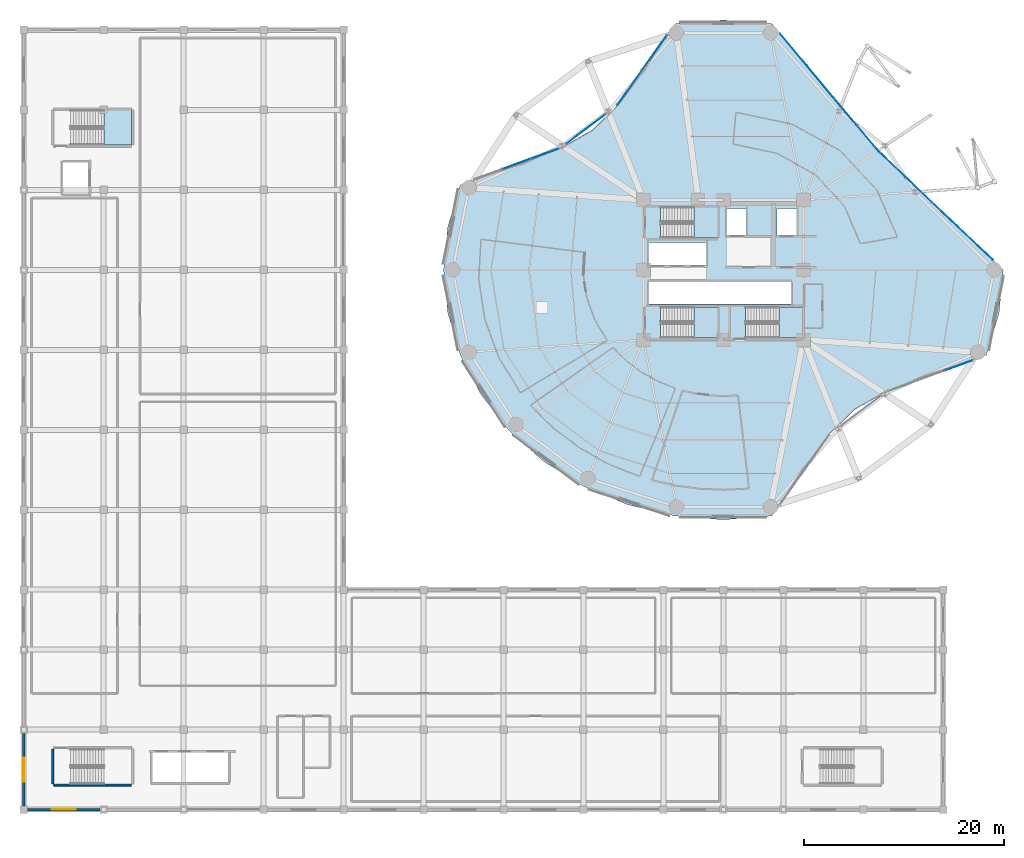
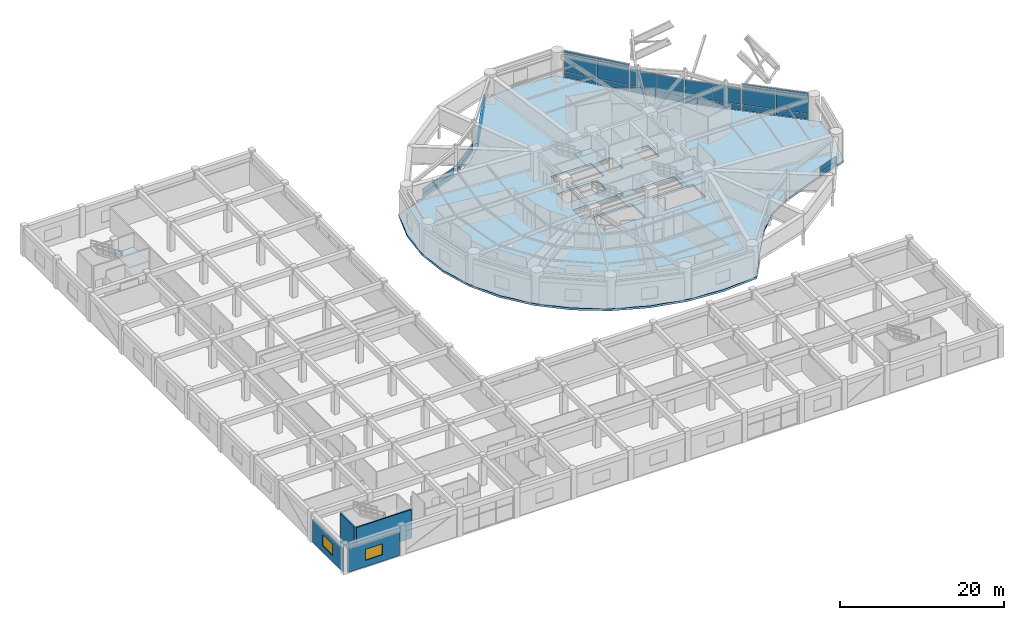
# One storey, part 39 of 53: 32 plates, 5 slabs, 4 walls, 2 windows, 2 openings, 12 elements without a shape of their own.
"""IFC4 building model written with IfcOpenShell, lengths in metres."""

from ifc_helpers import new_model, si_unit, direction, frame, frame_2d, origin, origin_2d, place, context, subcontext, project, spatial, polyline, rectangle, outline, extrude, source, transform, mapped, material, layer, layer_set, type_object, element, fill, aggregate, save


model = new_model("IFC4")

# Units and contexts
model_context = context("Model", 3, precision=1e-05, world=origin(), true_north=direction((0.0, 1.0)))
body_context = subcontext(model_context, "Body", "Model", "MODEL_VIEW")
ifc_project = project(units=[si_unit("LENGTHUNIT", "METRE"), si_unit("AREAUNIT", "SQUARE_METRE"), si_unit("VOLUMEUNIT", "CUBIC_METRE"), si_unit("PLANEANGLEUNIT", "RADIAN"), si_unit("MASSUNIT", "GRAM", prefix="KILO")], contexts=[model_context])

# Site, building, storey
site_placement = place(None, origin())
site = spatial("IfcSite", under=ifc_project, at=site_placement, CompositionType="ELEMENT")
building_placement = place(site_placement, origin())
building = spatial("IfcBuilding", under=site, at=building_placement, Name="Kelanora Arch Commons", CompositionType="ELEMENT")
storey_placement = place(building_placement, frame((0.0, 0.0, 9.0)))
storey = spatial("IfcBuildingStorey", under=building, at=storey_placement, Name="L02", CompositionType="ELEMENT", Elevation=9.0)

# Stair, slab
ifc_material_1 = material(Name="Concrete C40/50", Category="concrete")
stair_type = type_object("IfcStairType", Name="STR-DL-450", PredefinedType="HALF_TURN_STAIR", material=ifc_material_1)
stair_1_placement = place(storey_placement, origin())
stair_1 = element("IfcStair", 1, at=stair_1_placement, inside=storey, type_object=stair_type, Name="L02 ST-T1", PredefinedType="HALF_TURN_STAIR")
ifc_layer_1 = layer(ifc_material_1, 0.199951171875)
ifc_layer_set_1 = layer_set([ifc_layer_1], Name="Concrete C40/50")
slab_type_1 = type_object("IfcSlabType", Name="SLB-STAIR-LND", PredefinedType="LANDING", material=ifc_layer_set_1)
slab_1_placement = place(storey_placement, frame((0.0, 0.0, 2.050048828125)))
slab_1 = element("IfcSlab", 2, at=slab_1_placement, type_object=slab_type_1, Name="ST-T1 landing 1", PredefinedType="LANDING", context=body_context, shape_type="SweptSolid", body=[
    extrude(outline(polyline([(71.080078125, 61.179931640625), (73.43994140625, 61.179931640625), (73.43994140625, 64.2900390625), (71.080078125, 64.2900390625), (71.080078125, 61.179931640625)])), origin(), (0.0, 0.0, 1.0), 0.199951171875),
])
aggregate(stair_1, [slab_1])

stair_2_placement = place(storey_placement, origin())
stair_2 = element("IfcStair", 3, at=stair_2_placement, inside=storey, type_object=stair_type, Name="L02 ST-T2", PredefinedType="HALF_TURN_STAIR")
slab_2_placement = place(storey_placement, frame((0.0, 0.0, 2.050048828125)))
slab_2 = element("IfcSlab", 4, at=slab_2_placement, type_object=slab_type_1, Name="ST-T2 landing 1", PredefinedType="LANDING", context=body_context, shape_type="SweptSolid", body=[
    extrude(outline(polyline([(79.56005859375, 51.179931640625), (81.919921875, 51.179931640625), (81.919921875, 54.2900390625), (79.56005859375, 54.2900390625), (79.56005859375, 51.179931640625)])), origin(), (0.0, 0.0, 1.0), 0.199951171875),
])
aggregate(stair_2, [slab_2])

stair_3_placement = place(storey_placement, origin())
stair_3 = element("IfcStair", 5, at=stair_3_placement, inside=storey, type_object=stair_type, Name="L02 ST-T3", PredefinedType="HALF_TURN_STAIR")
slab_3_placement = place(storey_placement, frame((0.0, 0.0, 2.050048828125)))
slab_3 = element("IfcSlab", 6, at=slab_3_placement, type_object=slab_type_1, Name="ST-T3 landing 1", PredefinedType="LANDING", context=body_context, shape_type="SweptSolid", body=[
    extrude(outline(polyline([(71.080078125, 51.179931640625), (73.43994140625, 51.179931640625), (73.43994140625, 54.2900390625), (71.080078125, 54.2900390625), (71.080078125, 51.179931640625)])), origin(), (0.0, 0.0, 1.0), 0.199951171875),
])
aggregate(stair_3, [slab_3])

stair_4_placement = place(storey_placement, origin())
stair_4 = element("IfcStair", 7, at=stair_4_placement, inside=storey, type_object=stair_type, Name="L02 ST-M3", PredefinedType="HALF_TURN_STAIR")
slab_4_placement = place(storey_placement, frame((0.0, 0.0, 2.050048828125)))
slab_4 = element("IfcSlab", 8, at=slab_4_placement, type_object=slab_type_1, Name="ST-M3 landing 1", PredefinedType="LANDING", context=body_context, shape_type="SweptSolid", body=[
    extrude(outline(polyline([(12.0400390625, 70.47998046875), (14.800048828125, 70.47998046875), (14.800048828125, 73.989990234375), (12.0400390625, 73.989990234375), (12.0400390625, 70.47998046875)])), origin(), (0.0, 0.0, 1.0), 0.199951171875),
])
aggregate(stair_4, [slab_4])

# Slab
ifc_layer_2 = layer(ifc_material_1, 0.300048828125)
ifc_layer_set_2 = layer_set([ifc_layer_2], Name="Concrete C40/50")
slab_type_2 = type_object("IfcSlabType", Name="SLB-TWR-POD", PredefinedType="FLOOR", material=ifc_layer_set_2)
slab_5_placement = place(storey_placement, frame((0.0, 0.0, -0.300048828125)))
element("IfcSlab", 9, at=slab_5_placement, inside=storey, type_object=slab_type_2, Name="Tower Floor Slab L02", PredefinedType="FLOOR", context=body_context, shape_type="SweptSolid", body=[
    extrude(outline(polyline([(102.0, 58.0), (97.9521484375, 61.77099609375), (94.83349609375, 64.770263671875), (92.0791015625, 67.319580078125), (89.657958984375, 69.73095703125), (87.418701171875, 72.2783203125), (85.085205078125, 75.14306640625), (82.318603515625, 78.406005859375), (78.862060546875, 82.6201171875), (74.0, 83.0), (69.137939453125, 82.6201171875), (65.908447265625, 77.849365234375), (63.369140625, 74.4404296875), (60.861328125, 71.980224609375), (57.71240234375, 70.202392578125), (53.51171875, 68.5615234375), (47.688720703125, 66.550537109375), (46.42529296875, 62.34130859375), (46.0, 58.0), (46.42529296875, 53.65869140625), (47.688720703125, 49.449462890625), (49.751220703125, 45.5), (52.55078125, 41.930419921875), (56.001953125, 38.848876953125), (60.0, 36.349365234375), (64.42333984375, 34.5078125), (69.137939453125, 33.3798828125), (74.0, 33.0), (78.862060546875, 33.3798828125), (82.091552734375, 38.150634765625), (84.630859375, 41.5595703125), (87.138671875, 44.019775390625), (90.28759765625, 45.797607421875), (94.48828125, 47.4384765625), (100.311279296875, 49.449462890625), (101.57470703125, 53.65869140625), (102.0, 58.0)]), holes=[polyline([(73.431884765625, 51.18798828125), (67.72802734375, 51.18798828125), (67.72802734375, 54.281982421875), (73.431884765625, 54.281982421875), (73.431884765625, 51.18798828125)]), polyline([(76.2080078125, 51.18798828125), (76.2080078125, 54.281982421875), (81.912109375, 54.281982421875), (81.912109375, 51.18798828125), (76.2080078125, 51.18798828125)]), polyline([(66.550048828125, 54.60009765625), (66.550048828125, 56.800048828125), (80.75, 56.800048828125), (80.75, 54.60009765625), (66.550048828125, 54.60009765625)]), polyline([(66.550048828125, 58.449951171875), (66.550048828125, 60.75), (72.25, 60.75), (72.25, 58.449951171875), (66.550048828125, 58.449951171875)]), polyline([(67.72802734375, 61.18798828125), (67.72802734375, 64.281982421875), (73.431884765625, 64.281982421875), (73.431884765625, 61.18798828125), (67.72802734375, 61.18798828125)]), polyline([(74.3798828125, 61.47998046875), (74.3798828125, 64.1201171875), (76.260009765625, 64.1201171875), (76.260009765625, 61.47998046875), (74.3798828125, 61.47998046875)]), polyline([(79.3798828125, 61.47998046875), (79.3798828125, 64.1201171875), (81.320068359375, 64.1201171875), (81.320068359375, 61.47998046875), (79.3798828125, 61.47998046875)])]), origin(), (0.0, 0.0, 1.0), 0.300048828125),
])

# Curtain wall, plates
ifc_material_2 = material(Name="Terracotta ceramic-fritted low-E glass and aluminium", Category="masonry")
ifc_layer_3 = layer(ifc_material_2, 0.2099609375)
ifc_layer_set_3 = layer_set([ifc_layer_3], Name="Terracotta ceramic-fritted low-E glass and aluminium")
curtain_wall_type = type_object("IfcCurtainWallType", Name="CW-SYS-04", PredefinedType="NOTDEFINED", material=ifc_layer_set_3)
curtain_wall_1_placement = place(storey_placement, origin())
curtain_wall_1 = element("IfcCurtainWall", 10, at=curtain_wall_1_placement, inside=storey, type_object=curtain_wall_type, Name="Unitised Curtain Wall L02-B00", PredefinedType="NOTDEFINED")
ifc_material_3 = material(Name="Clear laminated solar-control double glazing", Category="glass")
ifc_layer_4 = layer(ifc_material_3, 0.033935546875)
ifc_layer_set_4 = layer_set([ifc_layer_4], Name="Clear laminated solar-control double glazing")
plate_type = type_object("IfcPlateType", Name="CWP-CLR", PredefinedType="CURTAIN_PANEL", material=ifc_layer_set_4)
shared_shape_1 = source(origin(), body_context, "Body", "SweptSolid", [
    extrude(rectangle(XDim=4.146240234375, YDim=0.033935546875, at=origin_2d()), origin(), (0.0, 0.0, 1.0), 0.81005859375),
])
plate_1_placement = place(storey_placement, frame((99.452392578125, 60.40673828125, 0.06005859375), z_axis=(0.0, 0.0, 1.0), x_axis=(-0.72692182078, 0.686720224308, 0.0)))
plate_1 = element("IfcPlate", 11, at=plate_1_placement, type_object=plate_type, Name="CW-04 panel 1.1", PredefinedType="CURTAIN_PANEL", context=body_context, shape_type="MappedRepresentation", body=[
    mapped(shared_shape_1, transform((0.0, 0.0, 0.0), scale=1.0)),
])
plate_2_placement = place(storey_placement, frame((96.394775390625, 63.295166015625, 0.06005859375), z_axis=(0.0, 0.0, 1.0), x_axis=(-0.72692182078, 0.686720224308, 0.0)))
plate_2 = element("IfcPlate", 12, at=plate_2_placement, type_object=plate_type, Name="CW-04 panel 2.1", PredefinedType="CURTAIN_PANEL", context=body_context, shape_type="MappedRepresentation", body=[
    mapped(shared_shape_1, transform((0.0, 0.0, 0.0), scale=1.0)),
])
shared_shape_2 = source(origin(), body_context, "Body", "SweptSolid", [
    extrude(rectangle(XDim=4.146240234375, YDim=0.033935546875, at=origin_2d()), origin(), (0.0, 0.0, 1.0), 0.409912109375),
])
plate_3_placement = place(storey_placement, frame((99.452392578125, 60.40673828125, 3.615234375), z_axis=(0.0, 0.0, 1.0), x_axis=(-0.72692182078, 0.686720224308, 0.0)))
plate_3 = element("IfcPlate", 13, at=plate_3_placement, type_object=plate_type, Name="CW-04 panel 1.3", PredefinedType="CURTAIN_PANEL", context=body_context, shape_type="MappedRepresentation", body=[
    mapped(shared_shape_2, transform((0.0, 0.0, 0.0), scale=1.0)),
])
plate_4_placement = place(storey_placement, frame((96.394775390625, 63.295166015625, 3.615234375), z_axis=(0.0, 0.0, 1.0), x_axis=(-0.72692182078, 0.686720224308, 0.0)))
plate_4 = element("IfcPlate", 14, at=plate_4_placement, type_object=plate_type, Name="CW-04 panel 2.3", PredefinedType="CURTAIN_PANEL", context=body_context, shape_type="MappedRepresentation", body=[
    mapped(shared_shape_2, transform((0.0, 0.0, 0.0), scale=1.0)),
])

curtain_wall_2_placement = place(storey_placement, origin())
curtain_wall_2 = element("IfcCurtainWall", 15, at=curtain_wall_2_placement, inside=storey, type_object=curtain_wall_type, Name="Unitised Curtain Wall L02-B01", PredefinedType="NOTDEFINED")
shared_shape_3 = source(origin(), body_context, "Body", "SweptSolid", [
    extrude(rectangle(XDim=3.4794921875, YDim=0.033935546875, at=origin_2d()), origin(), (0.0, 0.0, 1.0), 0.81005859375),
])
plate_5_placement = place(storey_placement, frame((93.523193359375, 66.026123046875, 0.06005859375), z_axis=(0.0, 0.0, 1.0), x_axis=(-0.721943011302, 0.691952518914, 0.0)))
plate_5 = element("IfcPlate", 16, at=plate_5_placement, type_object=plate_type, Name="CW-04 panel 1.1", PredefinedType="CURTAIN_PANEL", context=body_context, shape_type="MappedRepresentation", body=[
    mapped(shared_shape_3, transform((0.0, 0.0, 0.0), scale=1.0)),
])
plate_6_placement = place(storey_placement, frame((90.968017578125, 68.47509765625, 0.06005859375), z_axis=(0.0, 0.0, 1.0), x_axis=(-0.721943011302, 0.691952518914, 0.0)))
plate_6 = element("IfcPlate", 17, at=plate_6_placement, type_object=plate_type, Name="CW-04 panel 2.1", PredefinedType="CURTAIN_PANEL", context=body_context, shape_type="MappedRepresentation", body=[
    mapped(shared_shape_3, transform((0.0, 0.0, 0.0), scale=1.0)),
])

curtain_wall_3_placement = place(storey_placement, origin())
curtain_wall_3 = element("IfcCurtainWall", 18, at=curtain_wall_3_placement, inside=storey, type_object=curtain_wall_type, Name="Unitised Curtain Wall L02-B02", PredefinedType="NOTDEFINED")
shared_shape_4 = source(origin(), body_context, "Body", "SweptSolid", [
    extrude(rectangle(XDim=3.4375, YDim=0.033935546875, at=origin_2d()), origin(), (0.0, 0.0, 1.0), 0.81005859375),
])
plate_7_placement = place(storey_placement, frame((88.500244140625, 71.10107421875, 0.06005859375), z_axis=(0.0, 0.0, 1.0), x_axis=(-0.645388011752, 0.763854903949, 0.0)))
plate_7 = element("IfcPlate", 19, at=plate_7_placement, type_object=plate_type, Name="CW-04 panel 1.1", PredefinedType="CURTAIN_PANEL", context=body_context, shape_type="MappedRepresentation", body=[
    mapped(shared_shape_4, transform((0.0, 0.0, 0.0), scale=1.0)),
])
plate_8_placement = place(storey_placement, frame((86.242919921875, 73.772705078125, 0.06005859375), z_axis=(0.0, 0.0, 1.0), x_axis=(-0.645388011752, 0.763854903949, 0.0)))
plate_8 = element("IfcPlate", 20, at=plate_8_placement, type_object=plate_type, Name="CW-04 panel 2.1", PredefinedType="CURTAIN_PANEL", context=body_context, shape_type="MappedRepresentation", body=[
    mapped(shared_shape_4, transform((0.0, 0.0, 0.0), scale=1.0)),
])

curtain_wall_4_placement = place(storey_placement, origin())
curtain_wall_4 = element("IfcCurtainWall", 21, at=curtain_wall_4_placement, inside=storey, type_object=curtain_wall_type, Name="Unitised Curtain Wall L02-B03", PredefinedType="NOTDEFINED")
shared_shape_5 = source(origin(), body_context, "Body", "SweptSolid", [
    extrude(rectangle(XDim=4.1533203125, YDim=0.033935546875, at=origin_2d()), origin(), (0.0, 0.0, 1.0), 0.81005859375),
])
plate_9_placement = place(storey_placement, frame((83.708740234375, 76.796875, 0.06005859375), z_axis=(0.0, 0.0, 1.0), x_axis=(-0.639702125211, 0.768622918602, 0.0)))
plate_9 = element("IfcPlate", 22, at=plate_9_placement, type_object=plate_type, Name="CW-04 panel 1.1", PredefinedType="CURTAIN_PANEL", context=body_context, shape_type="MappedRepresentation", body=[
    mapped(shared_shape_5, transform((0.0, 0.0, 0.0), scale=1.0)),
])
plate_10_placement = place(storey_placement, frame((81.013427734375, 80.03515625, 0.06005859375), z_axis=(0.0, 0.0, 1.0), x_axis=(-0.639702125211, 0.768622918602, 0.0)))
plate_10 = element("IfcPlate", 23, at=plate_10_placement, type_object=plate_type, Name="CW-04 panel 2.1", PredefinedType="CURTAIN_PANEL", context=body_context, shape_type="MappedRepresentation", body=[
    mapped(shared_shape_5, transform((0.0, 0.0, 0.0), scale=1.0)),
])
shared_shape_6 = source(origin(), body_context, "Body", "SweptSolid", [
    extrude(rectangle(XDim=4.1533203125, YDim=0.033935546875, at=origin_2d()), origin(), (0.0, 0.0, 1.0), 0.409912109375),
])
plate_11_placement = place(storey_placement, frame((83.708740234375, 76.796875, 3.615234375), z_axis=(0.0, 0.0, 1.0), x_axis=(-0.639702125211, 0.768622918602, 0.0)))
plate_11 = element("IfcPlate", 24, at=plate_11_placement, type_object=plate_type, Name="CW-04 panel 1.3", PredefinedType="CURTAIN_PANEL", context=body_context, shape_type="MappedRepresentation", body=[
    mapped(shared_shape_6, transform((0.0, 0.0, 0.0), scale=1.0)),
])
plate_12_placement = place(storey_placement, frame((81.013427734375, 80.03515625, 3.615234375), z_axis=(0.0, 0.0, 1.0), x_axis=(-0.639702125211, 0.768622918602, 0.0)))
plate_12 = element("IfcPlate", 25, at=plate_12_placement, type_object=plate_type, Name="CW-04 panel 2.3", PredefinedType="CURTAIN_PANEL", context=body_context, shape_type="MappedRepresentation", body=[
    mapped(shared_shape_6, transform((0.0, 0.0, 0.0), scale=1.0)),
])

# Plate
shared_shape_7 = source(origin(), body_context, "Body", "SweptSolid", [
    extrude(rectangle(XDim=4.146240234375, YDim=0.033935546875, at=origin_2d()), origin(), (0.0, 0.0, 1.0), 2.625),
])
plate_13_placement = place(storey_placement, frame((99.452392578125, 60.40673828125, 0.929931640625), z_axis=(0.0, 0.0, 1.0), x_axis=(-0.72692182078, 0.686720224308, 0.0)))
plate_13 = element("IfcPlate", 26, at=plate_13_placement, type_object=plate_type, Name="CW-04 panel 1.2", PredefinedType="CURTAIN_PANEL", context=body_context, shape_type="MappedRepresentation", body=[
    mapped(shared_shape_7, transform((0.0, 0.0, 0.0), scale=1.0)),
])

plate_14_placement = place(storey_placement, frame((96.394775390625, 63.295166015625, 0.929931640625), z_axis=(0.0, 0.0, 1.0), x_axis=(-0.72692182078, 0.686720224308, 0.0)))
plate_14 = element("IfcPlate", 27, at=plate_14_placement, type_object=plate_type, Name="CW-04 panel 2.2", PredefinedType="CURTAIN_PANEL", context=body_context, shape_type="MappedRepresentation", body=[
    mapped(shared_shape_7, transform((0.0, 0.0, 0.0), scale=1.0)),
])

aggregate(curtain_wall_1, [plate_1, plate_13, plate_3, plate_2, plate_14, plate_4])

shared_shape_8 = source(origin(), body_context, "Body", "SweptSolid", [
    extrude(rectangle(XDim=3.4794921875, YDim=0.033935546875, at=origin_2d()), origin(), (0.0, 0.0, 1.0), 2.489990234375),
])
plate_15_placement = place(storey_placement, frame((93.523193359375, 66.026123046875, 0.93017578125), z_axis=(0.0, 0.0, 1.0), x_axis=(-0.721943011302, 0.691952518914, 0.0)))
plate_15 = element("IfcPlate", 28, at=plate_15_placement, type_object=plate_type, Name="CW-04 panel 1.2", PredefinedType="CURTAIN_PANEL", context=body_context, shape_type="MappedRepresentation", body=[
    mapped(shared_shape_8, transform((0.0, 0.0, 0.0), scale=1.0)),
])

plate_16_placement = place(storey_placement, frame((90.968017578125, 68.47509765625, 0.93017578125), z_axis=(0.0, 0.0, 1.0), x_axis=(-0.721943011302, 0.691952518914, 0.0)))
plate_16 = element("IfcPlate", 29, at=plate_16_placement, type_object=plate_type, Name="CW-04 panel 2.2", PredefinedType="CURTAIN_PANEL", context=body_context, shape_type="MappedRepresentation", body=[
    mapped(shared_shape_8, transform((0.0, 0.0, 0.0), scale=1.0)),
])

aggregate(curtain_wall_2, [plate_5, plate_15, plate_6, plate_16])

shared_shape_9 = source(origin(), body_context, "Body", "SweptSolid", [
    extrude(rectangle(XDim=3.4375, YDim=0.033935546875, at=origin_2d()), origin(), (0.0, 0.0, 1.0), 2.489990234375),
])
plate_17_placement = place(storey_placement, frame((88.500244140625, 71.10107421875, 0.93017578125), z_axis=(0.0, 0.0, 1.0), x_axis=(-0.645388011752, 0.763854903949, 0.0)))
plate_17 = element("IfcPlate", 30, at=plate_17_placement, type_object=plate_type, Name="CW-04 panel 1.2", PredefinedType="CURTAIN_PANEL", context=body_context, shape_type="MappedRepresentation", body=[
    mapped(shared_shape_9, transform((0.0, 0.0, 0.0), scale=1.0)),
])

plate_18_placement = place(storey_placement, frame((86.242919921875, 73.772705078125, 0.93017578125), z_axis=(0.0, 0.0, 1.0), x_axis=(-0.645388011752, 0.763854903949, 0.0)))
plate_18 = element("IfcPlate", 31, at=plate_18_placement, type_object=plate_type, Name="CW-04 panel 2.2", PredefinedType="CURTAIN_PANEL", context=body_context, shape_type="MappedRepresentation", body=[
    mapped(shared_shape_9, transform((0.0, 0.0, 0.0), scale=1.0)),
])

aggregate(curtain_wall_3, [plate_7, plate_17, plate_8, plate_18])

shared_shape_10 = source(origin(), body_context, "Body", "SweptSolid", [
    extrude(rectangle(XDim=4.1533203125, YDim=0.033935546875, at=origin_2d()), origin(), (0.0, 0.0, 1.0), 2.625),
])
plate_19_placement = place(storey_placement, frame((83.708740234375, 76.796875, 0.929931640625), z_axis=(0.0, 0.0, 1.0), x_axis=(-0.639702125211, 0.768622918602, 0.0)))
plate_19 = element("IfcPlate", 32, at=plate_19_placement, type_object=plate_type, Name="CW-04 panel 1.2", PredefinedType="CURTAIN_PANEL", context=body_context, shape_type="MappedRepresentation", body=[
    mapped(shared_shape_10, transform((0.0, 0.0, 0.0), scale=1.0)),
])

plate_20_placement = place(storey_placement, frame((81.013427734375, 80.03515625, 0.929931640625), z_axis=(0.0, 0.0, 1.0), x_axis=(-0.639702125211, 0.768622918602, 0.0)))
plate_20 = element("IfcPlate", 33, at=plate_20_placement, type_object=plate_type, Name="CW-04 panel 2.2", PredefinedType="CURTAIN_PANEL", context=body_context, shape_type="MappedRepresentation", body=[
    mapped(shared_shape_10, transform((0.0, 0.0, 0.0), scale=1.0)),
])

aggregate(curtain_wall_4, [plate_9, plate_19, plate_11, plate_10, plate_20, plate_12])

# Curtain wall, plates
curtain_wall_5_placement = place(storey_placement, origin())
curtain_wall_5 = element("IfcCurtainWall", 34, at=curtain_wall_5_placement, inside=storey, type_object=curtain_wall_type, Name="Unitised Curtain Wall L02-B05", PredefinedType="NOTDEFINED")
shared_shape_11 = source(origin(), body_context, "Body", "SweptSolid", [
    extrude(rectangle(XDim=4.241455078125, YDim=0.033935546875, at=origin_2d()), origin(), (0.0, 0.0, 1.0), 0.575927734375),
])
plate_21_placement = place(storey_placement, frame((67.113525390625, 79.749755859375, 0.06005859375), z_axis=(0.0, 0.0, 1.0), x_axis=(-0.576345499922, -0.817206133555, 0.0)))
plate_21 = element("IfcPlate", 35, at=plate_21_placement, type_object=plate_type, Name="CW-04 panel 1.1", PredefinedType="CURTAIN_PANEL", context=body_context, shape_type="MappedRepresentation", body=[
    mapped(shared_shape_11, transform((0.0, 0.0, 0.0), scale=1.0)),
])
plate_22_placement = place(storey_placement, frame((64.634521484375, 76.23486328125, 0.06005859375), z_axis=(0.0, 0.0, 1.0), x_axis=(-0.576345499922, -0.817206133555, 0.0)))
plate_22 = element("IfcPlate", 36, at=plate_22_placement, type_object=plate_type, Name="CW-04 panel 2.1", PredefinedType="CURTAIN_PANEL", context=body_context, shape_type="MappedRepresentation", body=[
    mapped(shared_shape_11, transform((0.0, 0.0, 0.0), scale=1.0)),
])
shared_shape_12 = source(origin(), body_context, "Body", "SweptSolid", [
    extrude(rectangle(XDim=4.241455078125, YDim=0.033935546875, at=origin_2d()), origin(), (0.0, 0.0, 1.0), 0.72412109375),
])
plate_23_placement = place(storey_placement, frame((67.113525390625, 79.749755859375, 0.696044921875), z_axis=(0.0, 0.0, 1.0), x_axis=(-0.576345499922, -0.817206133555, 0.0)))
plate_23 = element("IfcPlate", 37, at=plate_23_placement, type_object=plate_type, Name="CW-04 panel 1.2", PredefinedType="CURTAIN_PANEL", context=body_context, shape_type="MappedRepresentation", body=[
    mapped(shared_shape_12, transform((0.0, 0.0, 0.0), scale=1.0)),
])
plate_24_placement = place(storey_placement, frame((64.634521484375, 76.23486328125, 0.696044921875), z_axis=(0.0, 0.0, 1.0), x_axis=(-0.576345499922, -0.817206133555, 0.0)))
plate_24 = element("IfcPlate", 38, at=plate_24_placement, type_object=plate_type, Name="CW-04 panel 2.2", PredefinedType="CURTAIN_PANEL", context=body_context, shape_type="MappedRepresentation", body=[
    mapped(shared_shape_12, transform((0.0, 0.0, 0.0), scale=1.0)),
])
aggregate(curtain_wall_5, [plate_21, plate_23, plate_22, plate_24])

curtain_wall_6_placement = place(storey_placement, origin())
curtain_wall_6 = element("IfcCurtainWall", 39, at=curtain_wall_6_placement, inside=storey, type_object=curtain_wall_type, Name="Unitised Curtain Wall L02-B06", PredefinedType="NOTDEFINED")
shared_shape_13 = source(origin(), body_context, "Body", "SweptSolid", [
    extrude(rectangle(XDim=4.849609375, YDim=0.033935546875, at=origin_2d()), origin(), (0.0, 0.0, 1.0), 0.575927734375),
])
plate_25_placement = place(storey_placement, frame((60.20458984375, 72.069580078125, 0.06005859375), z_axis=(0.0, 0.0, 1.0), x_axis=(-0.80030897426, -0.599587813185, 0.0)))
plate_25 = element("IfcPlate", 40, at=plate_25_placement, type_object=plate_type, Name="CW-04 panel 1.1", PredefinedType="CURTAIN_PANEL", context=body_context, shape_type="MappedRepresentation", body=[
    mapped(shared_shape_13, transform((0.0, 0.0, 0.0), scale=1.0)),
])
shared_shape_14 = source(origin(), body_context, "Body", "SweptSolid", [
    extrude(rectangle(XDim=4.849609375, YDim=0.033935546875, at=origin_2d()), origin(), (0.0, 0.0, 1.0), 0.72412109375),
])
plate_26_placement = place(storey_placement, frame((60.20458984375, 72.069580078125, 0.696044921875), z_axis=(0.0, 0.0, 1.0), x_axis=(-0.80030897426, -0.599587813185, 0.0)))
plate_26 = element("IfcPlate", 41, at=plate_26_placement, type_object=plate_type, Name="CW-04 panel 1.2", PredefinedType="CURTAIN_PANEL", context=body_context, shape_type="MappedRepresentation", body=[
    mapped(shared_shape_14, transform((0.0, 0.0, 0.0), scale=1.0)),
])
aggregate(curtain_wall_6, [plate_25, plate_26])

# Curtain wall, plate
curtain_wall_7_placement = place(storey_placement, origin())
curtain_wall_7 = element("IfcCurtainWall", 42, at=curtain_wall_7_placement, inside=storey, type_object=curtain_wall_type, Name="Unitised Curtain Wall L02-B07", PredefinedType="NOTDEFINED")
shared_shape_15 = source(origin(), body_context, "Body", "SweptSolid", [
    extrude(rectangle(XDim=2.9296875, YDim=0.033935546875, at=origin_2d()), origin(), (0.0, 0.0, 1.0), 0.575927734375),
])
plate_27_placement = place(storey_placement, frame((56.1220703125, 69.623046875, 0.06005859375), z_axis=(0.0, 0.0, 1.0), x_axis=(-0.939584077951, -0.342318215206, 0.0)))
plate_27 = element("IfcPlate", 43, at=plate_27_placement, type_object=plate_type, Name="CW-04 panel 1.1", PredefinedType="CURTAIN_PANEL", context=body_context, shape_type="MappedRepresentation", body=[
    mapped(shared_shape_15, transform((0.0, 0.0, 0.0), scale=1.0)),
])

curtain_wall_8_placement = place(storey_placement, origin())
curtain_wall_8 = element("IfcCurtainWall", 44, at=curtain_wall_8_placement, inside=storey, type_object=curtain_wall_type, Name="Unitised Curtain Wall L02-B16", PredefinedType="NOTDEFINED")
plate_28_placement = place(storey_placement, frame((97.5244140625, 48.43408203125, 0.06005859375), z_axis=(0.0, 0.0, 1.0), x_axis=(0.939584077951, 0.342318215206, 0.0)))
plate_28 = element("IfcPlate", 45, at=plate_28_placement, type_object=plate_type, Name="CW-04 panel 3.1", PredefinedType="CURTAIN_PANEL", context=body_context, shape_type="MappedRepresentation", body=[
    mapped(shared_shape_15, transform((0.0, 0.0, 0.0), scale=1.0)),
])

# Plate
shared_shape_16 = source(origin(), body_context, "Body", "SweptSolid", [
    extrude(rectangle(XDim=2.9296875, YDim=0.033935546875, at=origin_2d()), origin(), (0.0, 0.0, 1.0), 0.72412109375),
])
plate_29_placement = place(storey_placement, frame((56.1220703125, 69.623046875, 0.696044921875), z_axis=(0.0, 0.0, 1.0), x_axis=(-0.939584077951, -0.342318215206, 0.0)))
plate_29 = element("IfcPlate", 46, at=plate_29_placement, type_object=plate_type, Name="CW-04 panel 1.2", PredefinedType="CURTAIN_PANEL", context=body_context, shape_type="MappedRepresentation", body=[
    mapped(shared_shape_16, transform((0.0, 0.0, 0.0), scale=1.0)),
])

plate_30_placement = place(storey_placement, frame((97.5244140625, 48.43408203125, 0.696044921875), z_axis=(0.0, 0.0, 1.0), x_axis=(0.939584077951, 0.342318215206, 0.0)))
plate_30 = element("IfcPlate", 47, at=plate_30_placement, type_object=plate_type, Name="CW-04 panel 3.2", PredefinedType="CURTAIN_PANEL", context=body_context, shape_type="MappedRepresentation", body=[
    mapped(shared_shape_16, transform((0.0, 0.0, 0.0), scale=1.0)),
])

aggregate(curtain_wall_8, [plate_28, plate_30])

shared_shape_17 = source(origin(), body_context, "Body", "SweptSolid", [
    extrude(rectangle(XDim=2.959716796875, YDim=0.033935546875, at=origin_2d()), origin(), (0.0, 0.0, 1.0), 0.575927734375),
])
plate_31_placement = place(storey_placement, frame((53.298828125, 68.594482421875, 0.06005859375), z_axis=(0.0, 0.0, 1.0), x_axis=(-0.939584077951, -0.342318215206, 0.0)))
plate_31 = element("IfcPlate", 48, at=plate_31_placement, type_object=plate_type, Name="CW-04 panel 2.1", PredefinedType="CURTAIN_PANEL", context=body_context, shape_type="MappedRepresentation", body=[
    mapped(shared_shape_17, transform((0.0, 0.0, 0.0), scale=1.0)),
])

shared_shape_18 = source(origin(), body_context, "Body", "SweptSolid", [
    extrude(rectangle(XDim=2.959716796875, YDim=0.033935546875, at=origin_2d()), origin(), (0.0, 0.0, 1.0), 0.72412109375),
])
plate_32_placement = place(storey_placement, frame((53.298828125, 68.594482421875, 0.696044921875), z_axis=(0.0, 0.0, 1.0), x_axis=(-0.939584077951, -0.342318215206, 0.0)))
plate_32 = element("IfcPlate", 49, at=plate_32_placement, type_object=plate_type, Name="CW-04 panel 2.2", PredefinedType="CURTAIN_PANEL", context=body_context, shape_type="MappedRepresentation", body=[
    mapped(shared_shape_18, transform((0.0, 0.0, 0.0), scale=1.0)),
])

aggregate(curtain_wall_7, [plate_27, plate_29, plate_31, plate_32])

# Wall, opening, window
ifc_material_4 = material(Name="Precast concrete C40/50 with terracotta ceramic cladding", Category="masonry")
ifc_layer_5 = layer(ifc_material_4, 0.25)
ifc_layer_set_5 = layer_set([ifc_layer_5], Name="Precast concrete C40/50 with terracotta ceramic cladding")
wall_type_1 = type_object("IfcWallType", Name="W-EXT-MKT", PredefinedType="SOLIDWALL", material=ifc_layer_set_5)
wall_1_placement = place(storey_placement, frame((4.3798828125, 4.0, 0.0), z_axis=(0.0, 0.0, 1.0), x_axis=(1.0, 0.0, 0.0)))
wall_1 = element("IfcWall", 50, at=wall_1_placement, inside=storey, type_object=wall_type_1, Name="Market Hall Exterior Wall L02-00", PredefinedType="SOLIDWALL", context=body_context, shape_type="SweptSolid", body=[
    extrude(rectangle(XDim=7.240234375, YDim=0.25, at=frame_2d((3.6201171875, 0.0))), origin(), (0.0, 0.0, 1.0), 3.419921875),
])
opening_1_placement = place(wall_1_placement, frame((2.419921875, 0.0, 0.949951171875)))
opening_1 = element("IfcOpeningElement", 51, at=opening_1_placement, cuts=wall_1, Name="Opening WN-03", PredefinedType="OPENING", context=body_context, shape_type="SweptSolid", body=[
    extrude(rectangle(XDim=2.39990234375, YDim=1.64990234375, at=frame_2d((1.199951171875, 0.824951171875))), frame((0.0, 0.135009765625, 0.0), z_axis=(0.0, -1.0, 0.0), x_axis=(1.0, 0.0, 0.0)), (0.0, 0.0, 1.0), 0.27001953125),
])
ifc_material_5 = material(Name="Bronze-terracotta aluminium monsoon clerestory window", Category="masonry")
window_type = type_object("IfcWindowType", Name="WIN-MKT-24", PartitioningType="TRIPLE_PANEL_VERTICAL", PredefinedType="WINDOW", material=ifc_material_5)
window_1_placement = place(opening_1_placement, origin())
window_1 = element("IfcWindow", 52, at=window_1_placement, inside=storey, type_object=window_type, Name="Market Hall Clerestory Window L02-00", OverallHeight=1.64990234375, OverallWidth=2.39990234375, PartitioningType="SINGLE_PANEL", PredefinedType="WINDOW", context=body_context, shape_type="SweptSolid", body=[
    extrude(rectangle(XDim=2.39990234375, YDim=1.64990234375, at=frame_2d((1.199951171875, 0.824951171875))), frame((0.0, 0.030029296875, 0.0), z_axis=(0.0, -1.0, 0.0), x_axis=(1.0, 0.0, 0.0)), (0.0, 0.0, 1.0), 0.06005859375),
])
fill(opening_1, window_1)

wall_2_placement = place(storey_placement, frame((4.0, 11.6201171875, 0.0), z_axis=(0.0, 0.0, 1.0), x_axis=(0.0, -1.0, 0.0)))
wall_2 = element("IfcWall", 53, at=wall_2_placement, inside=storey, type_object=wall_type_1, Name="Market Hall Exterior Wall L02-43", PredefinedType="SOLIDWALL", context=body_context, shape_type="SweptSolid", body=[
    extrude(rectangle(XDim=7.240234375, YDim=0.25, at=frame_2d((3.6201171875, 0.0))), origin(), (0.0, 0.0, 1.0), 3.419921875),
])
opening_2_placement = place(wall_2_placement, frame((2.419921875, 0.0, 0.949951171875)))
opening_2 = element("IfcOpeningElement", 54, at=opening_2_placement, cuts=wall_2, Name="Opening WN-03", PredefinedType="OPENING", context=body_context, shape_type="SweptSolid", body=[
    extrude(rectangle(XDim=2.39990234375, YDim=1.64990234375, at=frame_2d((1.199951171875, 0.824951171875))), frame((0.0, 0.135009765625, 0.0), z_axis=(0.0, -1.0, 0.0), x_axis=(1.0, 0.0, 0.0)), (0.0, 0.0, 1.0), 0.27001953125),
])
window_2_placement = place(opening_2_placement, origin())
window_2 = element("IfcWindow", 55, at=window_2_placement, inside=storey, type_object=window_type, Name="Market Hall Clerestory Window L02-43", OverallHeight=1.64990234375, OverallWidth=2.39990234375, PartitioningType="SINGLE_PANEL", PredefinedType="WINDOW", context=body_context, shape_type="SweptSolid", body=[
    extrude(rectangle(XDim=2.39990234375, YDim=1.64990234375, at=frame_2d((1.199951171875, 0.824951171875))), frame((0.0, 0.030029296875, 0.0), z_axis=(0.0, -1.0, 0.0), x_axis=(1.0, 0.0, 0.0)), (0.0, 0.0, 1.0), 0.06005859375),
])
fill(opening_2, window_2)

# Walls
ifc_layer_6 = layer(ifc_material_1, 0.199951171875)
ifc_layer_set_6 = layer_set([ifc_layer_6], Name="Concrete C40/50")
wall_type_2 = type_object("IfcWallType", Name="W-STAIR-200", PredefinedType="SHEAR", material=ifc_layer_set_6)
wall_3_placement = place(storey_placement, frame((7.02001953125, 6.4599609375, 0.0), z_axis=(0.0, 0.0, 1.0), x_axis=(1.0, 0.0, 0.0)))
element("IfcWall", 56, at=wall_3_placement, inside=storey, type_object=wall_type_2, Name="Stair ST-M1 Shaft Wall S L02", PredefinedType="SHEAR", context=body_context, shape_type="SweptSolid", body=[
    extrude(rectangle(XDim=7.760009765625, YDim=0.199951171875, at=frame_2d((3.8798828125, 0.0))), origin(), (0.0, 0.0, 1.0), 4.239990234375),
])
wall_4_placement = place(storey_placement, frame((6.89990234375, 10.050048828125, 0.0), z_axis=(0.0, 0.0, 1.0), x_axis=(0.0, -1.0, 0.0)))
element("IfcWall", 57, at=wall_4_placement, inside=storey, type_object=wall_type_2, Name="Stair ST-M1 Shaft Wall W L02", PredefinedType="SHEAR", context=body_context, shape_type="SweptSolid", body=[
    extrude(rectangle(XDim=3.469970703125, YDim=0.199951171875, at=frame_2d((1.73486328125, 0.0))), origin(), (0.0, 0.0, 1.0), 4.239990234375),
])

save(model, "model.ifc")
